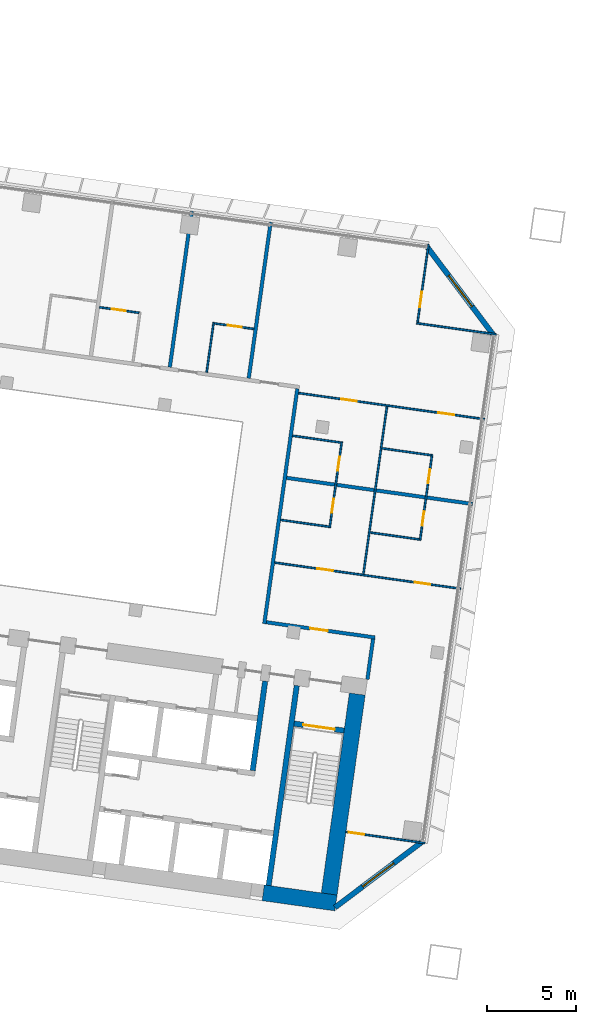
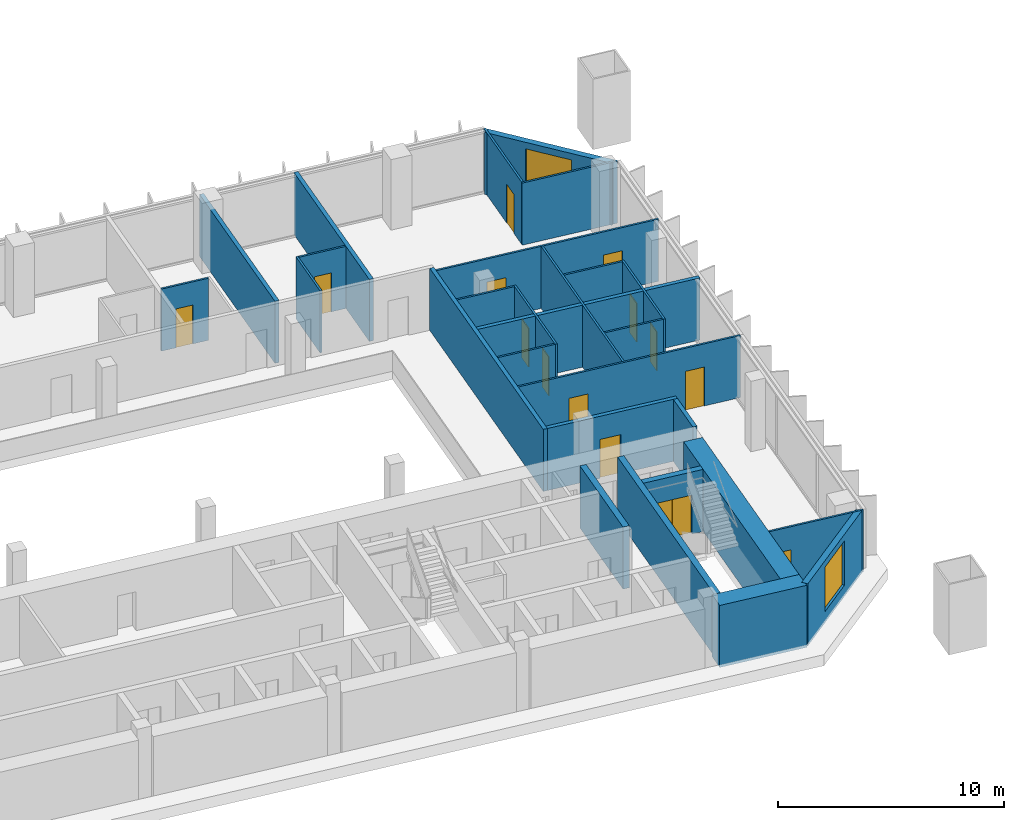
# One storey, part 17 of 25: 28 walls, 14 doors, 2 windows, 16 openings.
"""IFC4 building model written with IfcOpenShell, lengths in metres."""

from ifc_helpers import new_model, si_unit, direction, frame, frame_2d, origin, place, context, subcontext, project, spatial, rectangle, extrude, material, layer, layer_set, type_object, element, fill, save


model = new_model("IFC4")

# Units and contexts
model_context = context("Model", 3, precision=1e-05, world=origin(), true_north=direction((0.0, 1.0)))
body_context = subcontext(model_context, "Body", "Model", "MODEL_VIEW")
ifc_project = project(units=[si_unit("LENGTHUNIT", "METRE"), si_unit("AREAUNIT", "SQUARE_METRE"), si_unit("VOLUMEUNIT", "CUBIC_METRE"), si_unit("PLANEANGLEUNIT", "RADIAN"), si_unit("MASSUNIT", "GRAM", prefix="KILO")], contexts=[model_context])

# Site, building, storey
site_placement = place(None, origin())
site = spatial("IfcSite", under=ifc_project, at=site_placement, CompositionType="ELEMENT")
building_placement = place(site_placement, origin())
building = spatial("IfcBuilding", under=site, at=building_placement, Name="Mirante Cascada Hotel Towers", CompositionType="ELEMENT")
storey_placement = place(building_placement, frame((0.0, 0.0, 73.7)))
storey = spatial("IfcBuildingStorey", under=building, at=storey_placement, Name="L15", CompositionType="ELEMENT", Elevation=73.7)

# Wall, opening, door
ifc_material_1 = material(Name="Fire-rated plasterboard on metal studs")
ifc_layer_1 = layer(ifc_material_1, 0.2)
ifc_layer_set_1 = layer_set([ifc_layer_1], Name="Compartment wall 200 EI 120")
wall_type_1 = type_object("IfcWallType", Name="Compartment wall 200 EI 120", PredefinedType="PARTITIONING", material=ifc_layer_set_1)
wall_1_placement = place(storey_placement, frame((-40.97, -3.8917, 0.0), z_axis=(0.0, 0.0, 1.0), x_axis=(0.9902695, -0.1391629, 0.0)))
wall_1 = element("IfcWall", 1, at=wall_1_placement, inside=storey, type_object=wall_type_1, Name="Wall 1-L15-03", PredefinedType="PARTITIONING", context=body_context, shape_type="SweptSolid", body=[
    extrude(rectangle(XDim=6.1999, YDim=0.2, at=frame_2d((3.1, 0.0))), origin(), (0.0, 0.0, 1.0), 3.35),
])
opening_1_placement = place(wall_1_placement, frame((2.5, 0.0, 0.0)))
opening_1 = element("IfcOpeningElement", 2, at=opening_1_placement, cuts=wall_1, Name="Opening D1-L15-04", PredefinedType="OPENING", context=body_context, shape_type="SweptSolid", body=[
    extrude(rectangle(XDim=1.0, YDim=2.1, at=frame_2d((0.5, 1.05))), frame((0.0, 0.1, 0.0), z_axis=(0.0, -1.0, 0.0), x_axis=(1.0, 0.0, 0.0)), (0.0, 0.0, 1.0), 0.2),
])
ifc_material_2 = material(Name="Fire-rated timber door leaf", Category="wood")
door_type_1 = type_object("IfcDoorType", Name="Entrance door DG1 1000x2100 EI 60", OperationType="SINGLE_SWING_LEFT", PredefinedType="DOOR", material=ifc_material_2)
door_1_placement = place(opening_1_placement, frame((1.0, 0.0, 0.0), z_axis=(0.0, 0.0, 1.0), x_axis=(-1.0, 0.0, 0.0)))
door_1 = element("IfcDoor", 3, at=door_1_placement, inside=storey, type_object=door_type_1, Name="Door D1-L15-04", OperationType="SINGLE_SWING_RIGHT", OverallHeight=2.1, OverallWidth=1.0, PredefinedType="DOOR", context=body_context, shape_type="SweptSolid", body=[
    extrude(rectangle(XDim=1.0, YDim=2.1, at=frame_2d((0.5, 1.05))), frame((0.0, 0.025, 0.0), z_axis=(0.0, -1.0, 0.0), x_axis=(1.0, 0.0, 0.0)), (0.0, 0.0, 1.0), 0.05),
])
fill(opening_1, door_1)

# Walls
wall_2_placement = place(storey_placement, frame((-39.8242, 4.2615, 0.0), z_axis=(0.0, 0.0, 1.0), x_axis=(0.9902686, -0.1391691, 0.0)))
element("IfcWall", 4, at=wall_2_placement, inside=storey, type_object=wall_type_1, Name="Wall 1-L15-11", PredefinedType="PARTITIONING", context=body_context, shape_type="SweptSolid", body=[
    extrude(rectangle(XDim=10.6001, YDim=0.2, at=frame_2d((5.3, 0.0))), origin(), (0.0, 0.0, 1.0), 3.35),
])
wall_3_placement = place(storey_placement, frame((-35.2634, -7.1173, 0.0), z_axis=(0.0, 0.0, 1.0), x_axis=(0.1391749, 0.9902678, 0.0)))
element("IfcWall", 5, at=wall_3_placement, inside=storey, type_object=wall_type_1, Name="Wall 1-L15-30", PredefinedType="PARTITIONING", context=body_context, shape_type="SweptSolid", body=[
    extrude(rectangle(XDim=2.3, YDim=0.2, at=frame_2d((1.15, 0.0))), origin(), (0.0, 0.0, 1.0), 3.35),
])
wall_4_placement = place(storey_placement, frame((-41.083, -3.9768, 0.0), z_axis=(0.0, 0.0, 1.0), x_axis=(0.1391716, 0.9902683, 0.0)))
element("IfcWall", 6, at=wall_4_placement, inside=storey, type_object=wall_type_1, Name="Wall 1-L15-34", PredefinedType="PARTITIONING", context=body_context, shape_type="SweptSolid", body=[
    extrude(rectangle(XDim=13.4, YDim=0.2, at=frame_2d((6.7, 0.0))), origin(), (0.0, 0.0, 1.0), 3.35),
])
for number, where, z_axis, x_axis, name in (
    (7, (-40.7243, 18.6939, 0.0), (0.0, 0.0, 1.0), (-0.1391794, -0.9902672, 0.0), "Wall 1-L15-35"),
    (8, (-45.1805, 19.3202, 0.0), (0.0, 0.0, 1.0), (-0.1391794, -0.9902672, 0.0), "Wall 1-L15-37"),
):
    element("IfcWall", number, at=place(storey_placement, frame(where, z_axis=z_axis, x_axis=x_axis)), inside=storey, type_object=wall_type_1, Name=name, PredefinedType="PARTITIONING", context=body_context, shape_type="SweptSolid", body=[
        extrude(rectangle(XDim=8.9, YDim=0.2, at=frame_2d((4.45, 0.0))), origin(), (0.0, 0.0, 1.0), 3.35),
    ])

# Wall, opening, door
ifc_material_3 = material(Name="Plasterboard on metal studs")
ifc_layer_2 = layer(ifc_material_3, 0.1)
ifc_layer_set_2 = layer_set([ifc_layer_2], Name="Partition 100")
wall_type_2 = type_object("IfcWallType", Name="Partition 100", PredefinedType="PARTITIONING", material=ifc_layer_set_2)
wall_5_placement = place(storey_placement, frame((-36.4742, -15.7326, 0.0), z_axis=(0.0, 0.0, 1.0), x_axis=(0.9902674, -0.1391779, 0.0)))
wall_5 = element("IfcWall", 9, at=wall_5_placement, inside=storey, type_object=wall_type_2, Name="Wall 1-L15-01", PredefinedType="PARTITIONING", context=body_context, shape_type="SweptSolid", body=[
    extrude(rectangle(XDim=4.5, YDim=0.1, at=frame_2d((2.25, 0.0))), origin(), (0.0, 0.0, 1.0), 3.35),
])
opening_2_placement = place(wall_5_placement, frame((0.15, 0.0, 0.0)))
opening_2 = element("IfcOpeningElement", 10, at=opening_2_placement, cuts=wall_5, Name="Opening D1-L15-01", PredefinedType="OPENING", context=body_context, shape_type="SweptSolid", body=[
    extrude(rectangle(XDim=0.9, YDim=2.1, at=frame_2d((0.45, 1.05))), frame((0.0, 0.05, 0.0), z_axis=(0.0, -1.0, 0.0), x_axis=(1.0, 0.0, 0.0)), (0.0, 0.0, 1.0), 0.1),
])
ifc_material_4 = material(Name="Timber door leaf", Category="wood")
door_type_2 = type_object("IfcDoorType", Name="Room door DG3 900x2100", OperationType="SINGLE_SWING_LEFT", PredefinedType="DOOR", material=ifc_material_4)
door_2_placement = place(opening_2_placement, origin())
door_2 = element("IfcDoor", 11, at=door_2_placement, inside=storey, type_object=door_type_2, Name="Door D1-L15-01", OperationType="SINGLE_SWING_LEFT", OverallHeight=2.1, OverallWidth=0.9, PredefinedType="DOOR", context=body_context, shape_type="SweptSolid", body=[
    extrude(rectangle(XDim=0.9, YDim=2.1, at=frame_2d((0.45, 1.05))), frame((0.0, 0.025, 0.0), z_axis=(0.0, -1.0, 0.0), x_axis=(1.0, 0.0, 0.0)), (0.0, 0.0, 1.0), 0.05),
])
fill(opening_2, door_2)

# Wall, openings, doors
wall_6_placement = place(storey_placement, frame((-30.0, -2.0, 0.0), z_axis=(0.0, 0.0, 1.0), x_axis=(-0.9902684, 0.1391704, 0.0)))
wall_6 = element("IfcWall", 12, at=wall_6_placement, inside=storey, type_object=wall_type_2, Name="Wall 1-L15-06", PredefinedType="PARTITIONING", context=body_context, shape_type="SweptSolid", body=[
    extrude(rectangle(XDim=10.6, YDim=0.1, at=frame_2d((5.3, 0.0))), origin(), (0.0, 0.0, 1.0), 3.35),
])
opening_3_placement = place(wall_6_placement, frame((1.725, 0.0, 0.0)))
opening_3 = element("IfcOpeningElement", 13, at=opening_3_placement, cuts=wall_6, Name="Opening D1-L15-05", PredefinedType="OPENING", context=body_context, shape_type="SweptSolid", body=[
    extrude(rectangle(XDim=0.9, YDim=2.1, at=frame_2d((0.45, 1.05))), frame((0.0, 0.05, 0.0), z_axis=(0.0, -1.0, 0.0), x_axis=(1.0, 0.0, 0.0)), (0.0, 0.0, 1.0), 0.1),
])
opening_4_placement = place(wall_6_placement, frame((7.275, 0.0, 0.0)))
opening_4 = element("IfcOpeningElement", 14, at=opening_4_placement, cuts=wall_6, Name="Opening D1-L15-06", PredefinedType="OPENING", context=body_context, shape_type="SweptSolid", body=[
    extrude(rectangle(XDim=0.9, YDim=2.1, at=frame_2d((0.45, 1.05))), frame((0.0, 0.05, 0.0), z_axis=(0.0, -1.0, 0.0), x_axis=(1.0, 0.0, 0.0)), (0.0, 0.0, 1.0), 0.1),
])
door_3_placement = place(opening_3_placement, origin())
door_3 = element("IfcDoor", 15, at=door_3_placement, inside=storey, type_object=door_type_2, Name="Door D1-L15-05", OperationType="SINGLE_SWING_LEFT", OverallHeight=2.1, OverallWidth=0.9, PredefinedType="DOOR", context=body_context, shape_type="SweptSolid", body=[
    extrude(rectangle(XDim=0.9, YDim=2.1, at=frame_2d((0.45, 1.05))), frame((0.0, 0.025, 0.0), z_axis=(0.0, -1.0, 0.0), x_axis=(1.0, 0.0, 0.0)), (0.0, 0.0, 1.0), 0.05),
])
fill(opening_3, door_3)
door_4_placement = place(opening_4_placement, origin())
door_4 = element("IfcDoor", 16, at=door_4_placement, inside=storey, type_object=door_type_2, Name="Door D1-L15-06", OperationType="SINGLE_SWING_LEFT", OverallHeight=2.1, OverallWidth=0.9, PredefinedType="DOOR", context=body_context, shape_type="SweptSolid", body=[
    extrude(rectangle(XDim=0.9, YDim=2.1, at=frame_2d((0.45, 1.05))), frame((0.0, 0.025, 0.0), z_axis=(0.0, -1.0, 0.0), x_axis=(1.0, 0.0, 0.0)), (0.0, 0.0, 1.0), 0.05),
])
fill(opening_4, door_4)

# Walls
wall_7_placement = place(storey_placement, frame((-35.1078, 1.1751, 0.0), z_axis=(0.0, 0.0, 1.0), x_axis=(0.990267, -0.139181, 0.0)))
element("IfcWall", 17, at=wall_7_placement, inside=storey, type_object=wall_type_2, Name="Wall 1-L15-09", PredefinedType="PARTITIONING", context=body_context, shape_type="SweptSolid", body=[
    extrude(rectangle(XDim=2.8, YDim=0.1, at=frame_2d((1.4, 0.0))), origin(), (0.0, 0.0, 1.0), 3.35),
])
wall_8_placement = place(storey_placement, frame((-37.435, 1.5021, 0.0), z_axis=(0.0, 0.0, 1.0), x_axis=(-0.9902641, 0.1392013, 0.0)))
element("IfcWall", 18, at=wall_8_placement, inside=storey, type_object=wall_type_2, Name="Wall 1-L15-10", PredefinedType="PARTITIONING", context=body_context, shape_type="SweptSolid", body=[
    extrude(rectangle(XDim=2.75, YDim=0.1, at=frame_2d((1.375, 0.0))), origin(), (0.0, 0.0, 1.0), 3.35),
])
wall_9_placement = place(storey_placement, frame((-34.4398, 5.9284, 0.0), z_axis=(0.0, 0.0, 1.0), x_axis=(0.9902677, -0.139176, 0.0)))
element("IfcWall", 19, at=wall_9_placement, inside=storey, type_object=wall_type_2, Name="Wall 1-L15-13", PredefinedType="PARTITIONING", context=body_context, shape_type="SweptSolid", body=[
    extrude(rectangle(XDim=2.8001, YDim=0.1, at=frame_2d((1.4, 0.0))), origin(), (0.0, 0.0, 1.0), 3.35),
])
wall_10_placement = place(storey_placement, frame((-36.7669, 6.2554, 0.0), z_axis=(0.0, 0.0, 1.0), x_axis=(-0.9902698, 0.1391607, 0.0)))
element("IfcWall", 20, at=wall_10_placement, inside=storey, type_object=wall_type_2, Name="Wall 1-L15-14", PredefinedType="PARTITIONING", context=body_context, shape_type="SweptSolid", body=[
    extrude(rectangle(XDim=2.7501, YDim=0.1, at=frame_2d((1.3751, 0.0))), origin(), (0.0, 0.0, 1.0), 3.35),
])

# Wall, openings, doors
wall_11_placement = place(storey_placement, frame((-39.1515, 9.0479, 0.0), z_axis=(0.0, 0.0, 1.0), x_axis=(0.9902671, -0.1391797, 0.0)))
wall_11 = element("IfcWall", 21, at=wall_11_placement, inside=storey, type_object=wall_type_2, Name="Wall 1-L15-17", PredefinedType="PARTITIONING", context=body_context, shape_type="SweptSolid", body=[
    extrude(rectangle(XDim=10.6, YDim=0.1, at=frame_2d((5.3, 0.0))), origin(), (0.0, 0.0, 1.0), 3.35),
])
opening_5_placement = place(wall_11_placement, frame((7.975, 0.0, 0.0)))
opening_5 = element("IfcOpeningElement", 22, at=opening_5_placement, cuts=wall_11, Name="Opening D1-L15-07", PredefinedType="OPENING", context=body_context, shape_type="SweptSolid", body=[
    extrude(rectangle(XDim=0.9, YDim=2.1, at=frame_2d((0.45, 1.05))), frame((0.0, 0.05, 0.0), z_axis=(0.0, -1.0, 0.0), x_axis=(1.0, 0.0, 0.0)), (0.0, 0.0, 1.0), 0.1),
])
opening_6_placement = place(wall_11_placement, frame((2.425, 0.0, 0.0)))
opening_6 = element("IfcOpeningElement", 23, at=opening_6_placement, cuts=wall_11, Name="Opening D1-L15-08", PredefinedType="OPENING", context=body_context, shape_type="SweptSolid", body=[
    extrude(rectangle(XDim=0.9, YDim=2.1, at=frame_2d((0.45, 1.05))), frame((0.0, 0.05, 0.0), z_axis=(0.0, -1.0, 0.0), x_axis=(1.0, 0.0, 0.0)), (0.0, 0.0, 1.0), 0.1),
])
door_5_placement = place(opening_5_placement, origin())
door_5 = element("IfcDoor", 24, at=door_5_placement, inside=storey, type_object=door_type_2, Name="Door D1-L15-07", OperationType="SINGLE_SWING_LEFT", OverallHeight=2.1, OverallWidth=0.9, PredefinedType="DOOR", context=body_context, shape_type="SweptSolid", body=[
    extrude(rectangle(XDim=0.9, YDim=2.1, at=frame_2d((0.45, 1.05))), frame((0.0, 0.025, 0.0), z_axis=(0.0, -1.0, 0.0), x_axis=(1.0, 0.0, 0.0)), (0.0, 0.0, 1.0), 0.05),
])
fill(opening_5, door_5)
door_6_placement = place(opening_6_placement, origin())
door_6 = element("IfcDoor", 25, at=door_6_placement, inside=storey, type_object=door_type_2, Name="Door D1-L15-08", OperationType="SINGLE_SWING_LEFT", OverallHeight=2.1, OverallWidth=0.9, PredefinedType="DOOR", context=body_context, shape_type="SweptSolid", body=[
    extrude(rectangle(XDim=0.9, YDim=2.1, at=frame_2d((0.45, 1.05))), frame((0.0, 0.025, 0.0), z_axis=(0.0, -1.0, 0.0), x_axis=(1.0, 0.0, 0.0)), (0.0, 0.0, 1.0), 0.05),
])
fill(opening_6, door_6)

# Wall, opening, door
wall_12_placement = place(storey_placement, frame((-41.6723, 12.6672, 0.0), z_axis=(0.0, 0.0, 1.0), x_axis=(-0.9902643, 0.1391997, 0.0)))
wall_12 = element("IfcWall", 26, at=wall_12_placement, inside=storey, type_object=wall_type_2, Name="Wall 1-L15-20", PredefinedType="PARTITIONING", context=body_context, shape_type="SweptSolid", body=[
    extrude(rectangle(XDim=2.25, YDim=0.1, at=frame_2d((1.125, 0.0))), origin(), (0.0, 0.0, 1.0), 3.35),
])
opening_7_placement = place(wall_12_placement, frame((0.7, 0.0, 0.0)))
opening_7 = element("IfcOpeningElement", 27, at=opening_7_placement, cuts=wall_12, Name="Opening D1-L15-21", PredefinedType="OPENING", context=body_context, shape_type="SweptSolid", body=[
    extrude(rectangle(XDim=0.8, YDim=2.1, at=frame_2d((0.4, 1.05))), frame((0.0, 0.05, 0.0), z_axis=(0.0, -1.0, 0.0), x_axis=(1.0, 0.0, 0.0)), (0.0, 0.0, 1.0), 0.1),
])
ifc_material_5 = material(Name="Timber door leaf", Category="wood")
door_type_3 = type_object("IfcDoorType", Name="Bathroom door DG4 800x2100", OperationType="SINGLE_SWING_LEFT", PredefinedType="DOOR", material=ifc_material_5)
door_7_placement = place(opening_7_placement, frame((0.8, 0.0, 0.0), z_axis=(0.0, 0.0, 1.0), x_axis=(-1.0, 0.0, 0.0)))
door_7 = element("IfcDoor", 28, at=door_7_placement, inside=storey, type_object=door_type_3, Name="Door D1-L15-21", OperationType="SINGLE_SWING_RIGHT", OverallHeight=2.1, OverallWidth=0.8, PredefinedType="DOOR", context=body_context, shape_type="SweptSolid", body=[
    extrude(rectangle(XDim=0.8, YDim=2.1, at=frame_2d((0.4, 1.05))), frame((0.0, 0.025, 0.0), z_axis=(0.0, -1.0, 0.0), x_axis=(1.0, 0.0, 0.0)), (0.0, 0.0, 1.0), 0.05),
])
fill(opening_7, door_7)

wall_13_placement = place(storey_placement, frame((-50.3867, 13.8919, 0.0), z_axis=(0.0, 0.0, 1.0), x_axis=(0.9902705, -0.1391561, 0.0)))
wall_13 = element("IfcWall", 29, at=wall_13_placement, inside=storey, type_object=wall_type_2, Name="Wall 1-L15-21", PredefinedType="PARTITIONING", context=body_context, shape_type="SweptSolid", body=[
    extrude(rectangle(XDim=2.25, YDim=0.1, at=frame_2d((1.125, 0.0))), origin(), (0.0, 0.0, 1.0), 3.35),
])
opening_8_placement = place(wall_13_placement, frame((0.7, 0.0, 0.0)))
opening_8 = element("IfcOpeningElement", 30, at=opening_8_placement, cuts=wall_13, Name="Opening D1-L15-22", PredefinedType="OPENING", context=body_context, shape_type="SweptSolid", body=[
    extrude(rectangle(XDim=0.8, YDim=2.1, at=frame_2d((0.4, 1.05))), frame((0.0, 0.05, 0.0), z_axis=(0.0, -1.0, 0.0), x_axis=(1.0, 0.0, 0.0)), (0.0, 0.0, 1.0), 0.1),
])
door_8_placement = place(opening_8_placement, origin())
door_8 = element("IfcDoor", 31, at=door_8_placement, inside=storey, type_object=door_type_3, Name="Door D1-L15-22", OperationType="SINGLE_SWING_LEFT", OverallHeight=2.1, OverallWidth=0.8, PredefinedType="DOOR", context=body_context, shape_type="SweptSolid", body=[
    extrude(rectangle(XDim=0.8, YDim=2.1, at=frame_2d((0.4, 1.05))), frame((0.0, 0.025, 0.0), z_axis=(0.0, -1.0, 0.0), x_axis=(1.0, 0.0, 0.0)), (0.0, 0.0, 1.0), 0.05),
])
fill(opening_8, door_8)

# Wall
wall_14_placement = place(storey_placement, frame((-32.4877, 12.9921, 0.0), z_axis=(0.0, 0.0, 1.0), x_axis=(0.9902691, -0.1391656, 0.0)))
element("IfcWall", 32, at=wall_14_placement, inside=storey, type_object=wall_type_2, Name="Wall 1-L15-27", PredefinedType="PARTITIONING", context=body_context, shape_type="SweptSolid", body=[
    extrude(rectangle(XDim=4.55, YDim=0.1, at=frame_2d((2.275, 0.0))), origin(), (0.0, 0.0, 1.0), 3.35),
])

# Wall, openings, doors
wall_15_placement = place(storey_placement, frame((-31.6106, 5.5812, 0.0), z_axis=(0.0, 0.0, 1.0), x_axis=(-0.1391638, -0.9902694, 0.0)))
wall_15 = element("IfcWall", 33, at=wall_15_placement, inside=storey, type_object=wall_type_2, Name="Wall 1-L15-29", PredefinedType="PARTITIONING", context=body_context, shape_type="SweptSolid", body=[
    extrude(rectangle(XDim=4.9, YDim=0.1, at=frame_2d((2.45, 0.0))), origin(), (0.0, 0.0, 1.0), 3.35),
])
opening_9_placement = place(wall_15_placement, frame((3.25, 0.0, 0.0)))
opening_9 = element("IfcOpeningElement", 34, at=opening_9_placement, cuts=wall_15, Name="Opening D1-L15-29", PredefinedType="OPENING", context=body_context, shape_type="SweptSolid", body=[
    extrude(rectangle(XDim=0.8, YDim=2.1, at=frame_2d((0.4, 1.05))), frame((0.0, 0.05, 0.0), z_axis=(0.0, -1.0, 0.0), x_axis=(1.0, 0.0, 0.0)), (0.0, 0.0, 1.0), 0.1),
])
opening_10_placement = place(wall_15_placement, frame((0.85, 0.0, 0.0)))
opening_10 = element("IfcOpeningElement", 35, at=opening_10_placement, cuts=wall_15, Name="Opening D1-L15-30", PredefinedType="OPENING", context=body_context, shape_type="SweptSolid", body=[
    extrude(rectangle(XDim=0.8, YDim=2.1, at=frame_2d((0.4, 1.05))), frame((0.0, 0.05, 0.0), z_axis=(0.0, -1.0, 0.0), x_axis=(1.0, 0.0, 0.0)), (0.0, 0.0, 1.0), 0.1),
])
door_9_placement = place(opening_9_placement, frame((0.8, 0.0, 0.0), z_axis=(0.0, 0.0, 1.0), x_axis=(-1.0, 0.0, 0.0)))
door_9 = element("IfcDoor", 36, at=door_9_placement, inside=storey, type_object=door_type_3, Name="Door D1-L15-29", OperationType="SINGLE_SWING_RIGHT", OverallHeight=2.1, OverallWidth=0.8, PredefinedType="DOOR", context=body_context, shape_type="SweptSolid", body=[
    extrude(rectangle(XDim=0.8, YDim=2.1, at=frame_2d((0.4, 1.05))), frame((0.0, 0.025, 0.0), z_axis=(0.0, -1.0, 0.0), x_axis=(1.0, 0.0, 0.0)), (0.0, 0.0, 1.0), 0.05),
])
fill(opening_9, door_9)
door_10_placement = place(opening_10_placement, frame((0.8, 0.0, 0.0), z_axis=(0.0, 0.0, 1.0), x_axis=(-1.0, 0.0, 0.0)))
door_10 = element("IfcDoor", 37, at=door_10_placement, inside=storey, type_object=door_type_3, Name="Door D1-L15-30", OperationType="SINGLE_SWING_RIGHT", OverallHeight=2.1, OverallWidth=0.8, PredefinedType="DOOR", context=body_context, shape_type="SweptSolid", body=[
    extrude(rectangle(XDim=0.8, YDim=2.1, at=frame_2d((0.4, 1.05))), frame((0.0, 0.025, 0.0), z_axis=(0.0, -1.0, 0.0), x_axis=(1.0, 0.0, 0.0)), (0.0, 0.0, 1.0), 0.05),
])
fill(opening_10, door_10)

# Wall, opening, door
wall_16_placement = place(storey_placement, frame((-31.8119, 17.4414, 0.0), z_axis=(0.0, 0.0, 1.0), x_axis=(-0.1391684, -0.9902687, 0.0)))
wall_16 = element("IfcWall", 38, at=wall_16_placement, inside=storey, type_object=wall_type_2, Name="Wall 1-L15-31", PredefinedType="PARTITIONING", context=body_context, shape_type="SweptSolid", body=[
    extrude(rectangle(XDim=4.45, YDim=0.1, at=frame_2d((2.225, 0.0))), origin(), (0.0, 0.0, 1.0), 3.35),
])
opening_11_placement = place(wall_16_placement, frame((2.6917, 0.0, 0.0)))
opening_11 = element("IfcOpeningElement", 39, at=opening_11_placement, cuts=wall_16, Name="Opening D1-L15-31", PredefinedType="OPENING", context=body_context, shape_type="SweptSolid", body=[
    extrude(rectangle(XDim=0.9, YDim=2.1, at=frame_2d((0.45, 1.05))), frame((0.0, 0.05, 0.0), z_axis=(0.0, -1.0, 0.0), x_axis=(1.0, 0.0, 0.0)), (0.0, 0.0, 1.0), 0.1),
])
door_11_placement = place(opening_11_placement, frame((0.9, 0.0, 0.0), z_axis=(0.0, 0.0, 1.0), x_axis=(-1.0, 0.0, 0.0)))
door_11 = element("IfcDoor", 40, at=door_11_placement, inside=storey, type_object=door_type_2, Name="Door D1-L15-31", OperationType="SINGLE_SWING_RIGHT", OverallHeight=2.1, OverallWidth=0.9, PredefinedType="DOOR", context=body_context, shape_type="SweptSolid", body=[
    extrude(rectangle(XDim=0.9, YDim=2.1, at=frame_2d((0.45, 1.05))), frame((0.0, 0.025, 0.0), z_axis=(0.0, -1.0, 0.0), x_axis=(1.0, 0.0, 0.0)), (0.0, 0.0, 1.0), 0.05),
])
fill(opening_11, door_11)

# Wall
wall_17_placement = place(storey_placement, frame((-35.489, -1.1781, 0.0), z_axis=(0.0, 0.0, 1.0), x_axis=(0.1391703, 0.9902685, 0.0)))
element("IfcWall", 41, at=wall_17_placement, inside=storey, type_object=wall_type_2, Name="Wall 1-L15-32", PredefinedType="PARTITIONING", context=body_context, shape_type="SweptSolid", body=[
    extrude(rectangle(XDim=9.5667, YDim=0.1, at=frame_2d((4.7834, 0.0))), origin(), (0.0, 0.0, 1.0), 3.35),
])

# Wall, openings, doors
wall_18_placement = place(storey_placement, frame((-36.7105, 6.298, 0.0), z_axis=(0.0, 0.0, 1.0), x_axis=(-0.1391638, -0.9902694, 0.0)))
wall_18 = element("IfcWall", 42, at=wall_18_placement, inside=storey, type_object=wall_type_2, Name="Wall 1-L15-33", PredefinedType="PARTITIONING", context=body_context, shape_type="SweptSolid", body=[
    extrude(rectangle(XDim=4.9, YDim=0.1, at=frame_2d((2.45, 0.0))), origin(), (0.0, 0.0, 1.0), 3.35),
])
opening_12_placement = place(wall_18_placement, frame((3.25, 0.0, 0.0)))
opening_12 = element("IfcOpeningElement", 43, at=opening_12_placement, cuts=wall_18, Name="Opening D1-L15-32", PredefinedType="OPENING", context=body_context, shape_type="SweptSolid", body=[
    extrude(rectangle(XDim=0.8, YDim=2.1, at=frame_2d((0.4, 1.05))), frame((0.0, 0.05, 0.0), z_axis=(0.0, -1.0, 0.0), x_axis=(1.0, 0.0, 0.0)), (0.0, 0.0, 1.0), 0.1),
])
opening_13_placement = place(wall_18_placement, frame((0.85, 0.0, 0.0)))
opening_13 = element("IfcOpeningElement", 44, at=opening_13_placement, cuts=wall_18, Name="Opening D1-L15-33", PredefinedType="OPENING", context=body_context, shape_type="SweptSolid", body=[
    extrude(rectangle(XDim=0.8, YDim=2.1, at=frame_2d((0.4, 1.05))), frame((0.0, 0.05, 0.0), z_axis=(0.0, -1.0, 0.0), x_axis=(1.0, 0.0, 0.0)), (0.0, 0.0, 1.0), 0.1),
])
door_12_placement = place(opening_12_placement, frame((0.8, 0.0, 0.0), z_axis=(0.0, 0.0, 1.0), x_axis=(-1.0, 0.0, 0.0)))
door_12 = element("IfcDoor", 45, at=door_12_placement, inside=storey, type_object=door_type_3, Name="Door D1-L15-32", OperationType="SINGLE_SWING_RIGHT", OverallHeight=2.1, OverallWidth=0.8, PredefinedType="DOOR", context=body_context, shape_type="SweptSolid", body=[
    extrude(rectangle(XDim=0.8, YDim=2.1, at=frame_2d((0.4, 1.05))), frame((0.0, 0.025, 0.0), z_axis=(0.0, -1.0, 0.0), x_axis=(1.0, 0.0, 0.0)), (0.0, 0.0, 1.0), 0.05),
])
fill(opening_12, door_12)
door_13_placement = place(opening_13_placement, frame((0.8, 0.0, 0.0), z_axis=(0.0, 0.0, 1.0), x_axis=(-1.0, 0.0, 0.0)))
door_13 = element("IfcDoor", 46, at=door_13_placement, inside=storey, type_object=door_type_3, Name="Door D1-L15-33", OperationType="SINGLE_SWING_RIGHT", OverallHeight=2.1, OverallWidth=0.8, PredefinedType="DOOR", context=body_context, shape_type="SweptSolid", body=[
    extrude(rectangle(XDim=0.8, YDim=2.1, at=frame_2d((0.4, 1.05))), frame((0.0, 0.025, 0.0), z_axis=(0.0, -1.0, 0.0), x_axis=(1.0, 0.0, 0.0)), (0.0, 0.0, 1.0), 0.05),
])
fill(opening_13, door_13)

# Wall
wall_19_placement = place(storey_placement, frame((-44.3396, 10.2146, 0.0), z_axis=(0.0, 0.0, 1.0), x_axis=(0.1391613, 0.9902697, 0.0)))
element("IfcWall", 47, at=wall_19_placement, inside=storey, type_object=wall_type_2, Name="Wall 1-L15-36", PredefinedType="PARTITIONING", context=body_context, shape_type="SweptSolid", body=[
    extrude(rectangle(XDim=2.8499, YDim=0.1, at=frame_2d((1.425, 0.0))), origin(), (0.0, 0.0, 1.0), 3.35),
])

# Wall, opening, window
ifc_material_6 = material(Name="Precast concrete C40/50", Category="concrete")
ifc_layer_3 = layer(ifc_material_6, 0.3)
ifc_layer_set_3 = layer_set([ifc_layer_3], Name="Precast concrete C40/50 cladding wall 300")
wall_type_3 = type_object("IfcWallType", Name="Precast concrete C40/50 cladding wall 300", PredefinedType="STANDARD", material=ifc_layer_set_3)
wall_20_placement = place(storey_placement, frame((-31.857, 17.252, 0.0), z_axis=(0.0, 0.0, 1.0), x_axis=(0.6018141, -0.7986362, 0.0)))
wall_20 = element("IfcWall", 48, at=wall_20_placement, inside=storey, type_object=wall_type_3, Name="Corner cladding wall T1 L15 front inner", PredefinedType="STANDARD", context=body_context, shape_type="SweptSolid", body=[
    extrude(rectangle(XDim=6.1157, YDim=0.3, at=frame_2d((3.0578, 0.0))), origin(), (0.0, 0.0, 1.0), 3.35),
])
opening_14_placement = place(wall_20_placement, frame((1.9578, 0.0, 0.6)))
opening_14 = element("IfcOpeningElement", 49, at=opening_14_placement, cuts=wall_20, Name="Opening W1-15-04", PredefinedType="OPENING", context=body_context, shape_type="SweptSolid", body=[
    extrude(rectangle(XDim=2.2, YDim=2.4, at=frame_2d((1.1, 1.2))), frame((0.0, 0.15, 0.0), z_axis=(0.0, -1.0, 0.0), x_axis=(1.0, 0.0, 0.0)), (0.0, 0.0, 1.0), 0.3),
])
ifc_material_7 = material(Name="Aluminium frame with clear double glazing", Category="aluminium")
window_type = type_object("IfcWindowType", Name="Corner suite window 2200x2400", PartitioningType="DOUBLE_PANEL_VERTICAL", PredefinedType="WINDOW", material=ifc_material_7)
window_1_placement = place(opening_14_placement, origin())
window_1 = element("IfcWindow", 50, at=window_1_placement, inside=storey, type_object=window_type, Name="Window W1-15-04", OverallHeight=2.4, OverallWidth=2.2, PartitioningType="SINGLE_PANEL", PredefinedType="WINDOW", context=body_context, shape_type="SweptSolid", body=[
    extrude(rectangle(XDim=2.2, YDim=2.4, at=frame_2d((1.1, 1.2))), frame((0.0, 0.03, 0.0), z_axis=(0.0, -1.0, 0.0), x_axis=(1.0, 0.0, 0.0)), (0.0, 0.0, 1.0), 0.06),
])
fill(opening_14, window_1)

wall_21_placement = place(storey_placement, frame((-32.2074, -16.3138, 0.0), z_axis=(0.0, 0.0, 1.0), x_axis=(-0.7986362, -0.6018141, 0.0)))
wall_21 = element("IfcWall", 51, at=wall_21_placement, inside=storey, type_object=wall_type_3, Name="Corner cladding wall T1 L15 inner rear", PredefinedType="STANDARD", context=body_context, shape_type="SweptSolid", body=[
    extrude(rectangle(XDim=6.1157, YDim=0.3, at=frame_2d((3.0578, 0.0))), origin(), (0.0, 0.0, 1.0), 3.35),
])
opening_15_placement = place(wall_21_placement, frame((1.9578, 0.0, 0.6)))
opening_15 = element("IfcOpeningElement", 52, at=opening_15_placement, cuts=wall_21, Name="Opening W1-15-05", PredefinedType="OPENING", context=body_context, shape_type="SweptSolid", body=[
    extrude(rectangle(XDim=2.2, YDim=2.4, at=frame_2d((1.1, 1.2))), frame((0.0, 0.15, 0.0), z_axis=(0.0, -1.0, 0.0), x_axis=(1.0, 0.0, 0.0)), (0.0, 0.0, 1.0), 0.3),
])
window_2_placement = place(opening_15_placement, origin())
window_2 = element("IfcWindow", 53, at=window_2_placement, inside=storey, type_object=window_type, Name="Window W1-15-05", OverallHeight=2.4, OverallWidth=2.2, PartitioningType="SINGLE_PANEL", PredefinedType="WINDOW", context=body_context, shape_type="SweptSolid", body=[
    extrude(rectangle(XDim=2.2, YDim=2.4, at=frame_2d((1.1, 1.2))), frame((0.0, 0.03, 0.0), z_axis=(0.0, -1.0, 0.0), x_axis=(1.0, 0.0, 0.0)), (0.0, 0.0, 1.0), 0.06),
])
fill(opening_15, window_2)

# Wall
ifc_material_8 = material(Name="Concrete C50/60", Category="concrete")
ifc_layer_4 = layer(ifc_material_8, 0.3)
ifc_layer_set_4 = layer_set([ifc_layer_4], Name="RC core wall 300 C50/60")
wall_type_4 = type_object("IfcWallType", Name="RC core wall 300 C50/60", PredefinedType="SHEAR", material=ifc_layer_set_4)
wall_22_placement = place(storey_placement, frame((-40.8373, -18.7548, 0.0), z_axis=(0.0, 0.0, 1.0), x_axis=(0.1391749, 0.9902678, 0.0)))
element("IfcWall", 54, at=wall_22_placement, inside=storey, type_object=wall_type_4, Name="Core wall T1:L15:5", PredefinedType="SHEAR", context=body_context, shape_type="SweptSolid", body=[
    extrude(rectangle(XDim=11.4, YDim=0.3, at=frame_2d((5.7, 0.0))), origin(), (0.0, 0.0, 1.0), 3.35),
])

# Wall, opening, door
wall_23_placement = place(storey_placement, frame((-36.5791, -10.0123, 0.0), z_axis=(0.0, 0.0, 1.0), x_axis=(-0.9902704, 0.1391564, 0.0)))
wall_23 = element("IfcWall", 55, at=wall_23_placement, inside=storey, type_object=wall_type_4, Name="Core wall T1:L15:9", PredefinedType="SHEAR", context=body_context, shape_type="SweptSolid", body=[
    extrude(rectangle(XDim=2.85, YDim=0.3, at=frame_2d((1.425, 0.0))), origin(), (0.0, 0.0, 1.0), 3.35),
])
opening_16_placement = place(wall_23_placement, frame((0.525, 0.0, 0.0)))
opening_16 = element("IfcOpeningElement", 56, at=opening_16_placement, cuts=wall_23, Name="Opening D1-15-C13", PredefinedType="OPENING", context=body_context, shape_type="SweptSolid", body=[
    extrude(rectangle(XDim=1.8, YDim=2.1, at=frame_2d((0.9, 1.05))), frame((0.0, 0.15, 0.0), z_axis=(0.0, -1.0, 0.0), x_axis=(1.0, 0.0, 0.0)), (0.0, 0.0, 1.0), 0.3),
])
ifc_material_9 = material(Name="Hollow metal fire door leaf")
door_type_4 = type_object("IfcDoorType", Name="Double fire door 1800x2100 FD60", OperationType="DOUBLE_DOOR_SINGLE_SWING", PredefinedType="DOOR", material=ifc_material_9)
door_14_placement = place(opening_16_placement, origin())
door_14 = element("IfcDoor", 57, at=door_14_placement, inside=storey, type_object=door_type_4, Name="Stair door T1 L15 13", OperationType="DOUBLE_DOOR_SINGLE_SWING", OverallHeight=2.1, OverallWidth=1.8, PredefinedType="DOOR", context=body_context, shape_type="SweptSolid", body=[
    extrude(rectangle(XDim=0.895, YDim=2.1, at=frame_2d((0.4475, 1.05))), frame((0.0, 0.025, 0.0), z_axis=(0.0, -1.0, 0.0), x_axis=(1.0, 0.0, 0.0)), (0.0, 0.0, 1.0), 0.05),
    extrude(rectangle(XDim=0.895, YDim=2.1, at=frame_2d((1.3525, 1.05))), frame((0.0, 0.025, 0.0), z_axis=(0.0, -1.0, 0.0), x_axis=(1.0, 0.0, 0.0)), (0.0, 0.0, 1.0), 0.05),
])
fill(opening_16, door_14)

# Walls
wall_24_placement = place(storey_placement, frame((-41.743, -12.2656, 0.0), z_axis=(0.0, 0.0, 1.0), x_axis=(0.1391755, 0.9902677, 0.0)))
element("IfcWall", 58, at=wall_24_placement, inside=storey, type_object=wall_type_4, Name="Core wall T1:L15:20", PredefinedType="SHEAR", context=body_context, shape_type="SweptSolid", body=[
    extrude(rectangle(XDim=5.1, YDim=0.3, at=frame_2d((2.55, 0.0))), origin(), (0.0, 0.0, 1.0), 3.35),
])
ifc_material_10 = material(Name="Concrete C50/60", Category="concrete")
ifc_layer_5 = layer(ifc_material_10, 0.9)
ifc_layer_set_5 = layer_set([ifc_layer_5], Name="RC core wall 900 C50/60")
wall_type_5 = type_object("IfcWallType", Name="RC core wall 900 C50/60", PredefinedType="SHEAR", material=ifc_layer_set_5)
wall_25_placement = place(storey_placement, frame((-37.0379, -19.7432, 0.0), z_axis=(0.0, 0.0, 1.0), x_axis=(-0.990267, 0.139181, 0.0)))
element("IfcWall", 59, at=wall_25_placement, inside=storey, type_object=wall_type_5, Name="Core wall T1:L15:1.1", PredefinedType="SHEAR", context=body_context, shape_type="SweptSolid", body=[
    extrude(rectangle(XDim=4.15, YDim=0.9, at=frame_2d((2.075, 0.0))), origin(), (0.0, 0.0, 1.0), 3.35),
])
wall_26_placement = place(storey_placement, frame((-37.4209, -19.2349, 0.0), z_axis=(0.0, 0.0, 1.0), x_axis=(0.1391761, 0.9902677, 0.0)))
element("IfcWall", 60, at=wall_26_placement, inside=storey, type_object=wall_type_5, Name="Core wall T1:L15:3", PredefinedType="SHEAR", context=body_context, shape_type="SweptSolid", body=[
    extrude(rectangle(XDim=11.3999, YDim=0.9, at=frame_2d((5.7, 0.0))), origin(), (0.0, 0.0, 1.0), 3.35),
])

save(model, "model.ifc")
